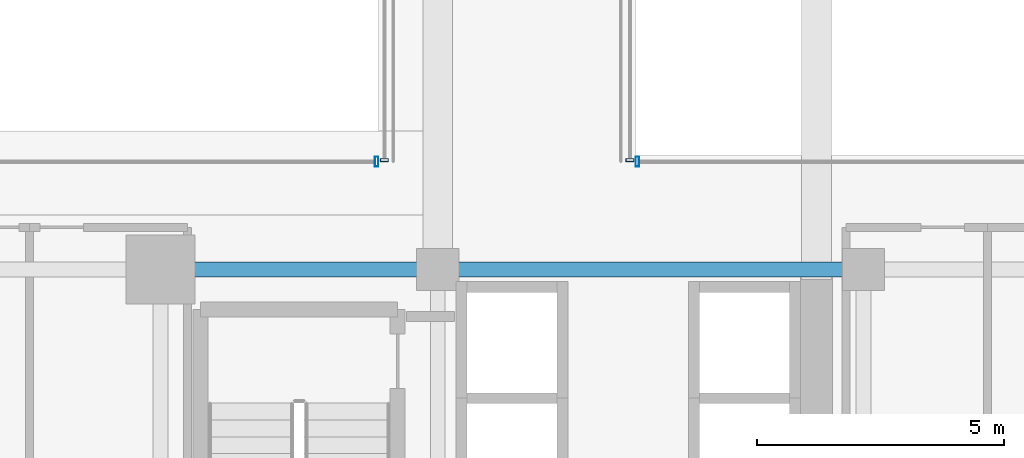
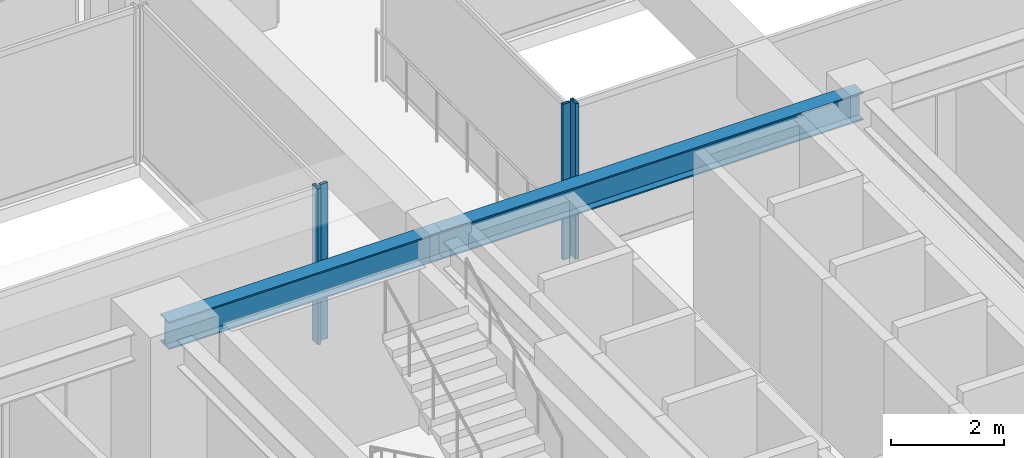
# One storey, part 18 of 42: 4 members, 2 beams, 4 elements without a shape of their own.
"""IFC4 building model written with IfcOpenShell, lengths in metres."""

from ifc_helpers import new_model, si_unit, direction, frame, origin, origin_2d, place, context, subcontext, project, spatial, hollow_rectangle, i_section, extrude, source, transform, mapped, material, material_profile, profile_set, type_object, element, aggregate, save


model = new_model("IFC4")

# Units and contexts
model_context = context("Model", 3, precision=1e-05, world=origin(), true_north=direction((0.0, 1.0)))
body_context = subcontext(model_context, "Body", "Model", "MODEL_VIEW")
ifc_project = project(units=[si_unit("LENGTHUNIT", "METRE"), si_unit("AREAUNIT", "SQUARE_METRE"), si_unit("VOLUMEUNIT", "CUBIC_METRE"), si_unit("PLANEANGLEUNIT", "RADIAN"), si_unit("MASSUNIT", "GRAM", prefix="KILO")], contexts=[model_context])

# Site, building, storey
site_placement = place(None, origin())
site = spatial("IfcSite", under=ifc_project, at=site_placement, CompositionType="ELEMENT")
building_placement = place(site_placement, origin())
building = spatial("IfcBuilding", under=site, at=building_placement, Name="Nahalor Promenade Grand Hotel", CompositionType="ELEMENT")
storey_placement = place(building_placement, frame((0.0, 0.0, 61.60009765625)))
storey = spatial("IfcBuildingStorey", under=building, at=storey_placement, Name="L14", CompositionType="ELEMENT", Elevation=61.60009765625)

# Beams
ifc_material_1 = material(Name="Steel S355JR", Category="steel")
ifc_material_profile_1 = material_profile(ifc_material_1, i_section(OverallWidth=0.3, OverallDepth=0.6, WebThickness=0.0155, FlangeThickness=0.03, at=origin_2d()), Name="HEB 600")
ifc_profile_set_1 = profile_set([ifc_material_profile_1], Name="Steel S355JR")
beam_type = type_object("IfcBeamType", Name="Beam-Girder-HEB600", PredefinedType="BEAM", material=ifc_profile_set_1)
shared_shape_1 = source(origin(), body_context, "Body", "SweptSolid", [
    extrude(i_section(OverallWidth=0.3, OverallDepth=0.6, WebThickness=0.0155, FlangeThickness=0.03, at=origin_2d()), origin(), (0.0, 0.0, 1.0), 8.60009765625),
])
beam_1_placement = place(storey_placement, frame((8.39990234375, -5.39990234375, 3.06982421875), z_axis=(1.0, 0.0, 0.0), x_axis=(0.0, 1.0, 0.0)))
element("IfcBeam", 1, at=beam_1_placement, inside=storey, type_object=beam_type, Name="BM-L14-GX-1-5", PredefinedType="BEAM", context=body_context, shape_type="MappedRepresentation", body=[
    mapped(shared_shape_1, transform((0.0, 0.0, 0.0), scale=1.0)),
])
shared_shape_2 = source(origin(), body_context, "Body", "SweptSolid", [
    extrude(i_section(OverallWidth=0.3, OverallDepth=0.6, WebThickness=0.0155, FlangeThickness=0.03, at=origin_2d()), origin(), (0.0, 0.0, 1.0), 5.599853515625),
])
beam_2_placement = place(storey_placement, frame((2.800048828125, -5.39990234375, 3.06982421875), z_axis=(1.0, 0.0, 0.0), x_axis=(0.0, 1.0, 0.0)))
element("IfcBeam", 2, at=beam_2_placement, inside=storey, type_object=beam_type, Name="BM-L14-GX-1-4", PredefinedType="BEAM", context=body_context, shape_type="MappedRepresentation", body=[
    mapped(shared_shape_2, transform((0.0, 0.0, 0.0), scale=1.0)),
])

# Curtain wall, member
ifc_material_2 = material(Name="Anodised Bronze Aluminium EN AW-6063 T6", Category="aluminium")
curtain_wall_type_1 = type_object("IfcCurtainWallType", Name="CW3 Elliptical-Void Collar Unitised Curtain Wall", PredefinedType="USERDEFINED", material=ifc_material_2)
curtain_wall_1_placement = place(storey_placement, origin())
curtain_wall_1 = element("IfcCurtainWall", 3, at=curtain_wall_1_placement, inside=storey, type_object=curtain_wall_type_1, Name="L14 Curtain Wall CW-L14-VOID-WS1", ObjectType="UNITISED_CURTAIN_WALL", PredefinedType="USERDEFINED")
ifc_material_profile_2 = material_profile(ifc_material_2, hollow_rectangle(XDim=0.07, YDim=0.2, WallThickness=0.005, at=origin_2d()), Name="CWM 70x200x5")
ifc_profile_set_2 = profile_set([ifc_material_profile_2], Name="Anodised Bronze Aluminium EN AW-6063 T6")
member_type_1 = type_object("IfcMemberType", Name="CWM3 Void Collar Mullion 70x200", PredefinedType="MULLION", material=ifc_profile_set_2)
shared_shape_3 = source(origin(), body_context, "Body", "SweptSolid", [
    extrude(hollow_rectangle(XDim=0.07, YDim=0.2, WallThickness=0.005, at=origin_2d()), origin(), (0.0, 0.0, 1.0), 3.369873046875),
])
member_1_placement = place(storey_placement, frame((7.1650390625, -3.219970703125, 0.0), z_axis=(0.0, 0.0, 1.0), x_axis=(1.0, 0.0, 0.0)))
member_1 = element("IfcMember", 4, at=member_1_placement, type_object=member_type_1, Name="CW-L14-VOID-WS1 Mullion 3", PredefinedType="MULLION", context=body_context, shape_type="MappedRepresentation", body=[
    mapped(shared_shape_3, transform((0.0, 0.0, 0.0), scale=1.0)),
])
aggregate(curtain_wall_1, [member_1])

curtain_wall_2_placement = place(storey_placement, origin())
curtain_wall_2 = element("IfcCurtainWall", 5, at=curtain_wall_2_placement, inside=storey, type_object=curtain_wall_type_1, Name="L14 Curtain Wall CW-L14-VOID-ES1", ObjectType="UNITISED_CURTAIN_WALL", PredefinedType="USERDEFINED")
member_2_placement = place(storey_placement, frame((12.43505859375, -3.219970703125, 0.0), z_axis=(0.0, 0.0, 1.0), x_axis=(1.0, 0.0, 0.0)))
member_2 = element("IfcMember", 6, at=member_2_placement, type_object=member_type_1, Name="CW-L14-VOID-ES1 Mullion 0", PredefinedType="MULLION", context=body_context, shape_type="MappedRepresentation", body=[
    mapped(shared_shape_3, transform((0.0, 0.0, 0.0), scale=1.0)),
])
aggregate(curtain_wall_2, [member_2])

curtain_wall_type_2 = type_object("IfcCurtainWallType", Name="CW4 Low-Iron Sky-Gallery Bridge Curtain Wall", PredefinedType="USERDEFINED", material=ifc_material_2)
curtain_wall_3_placement = place(storey_placement, origin())
curtain_wall_3 = element("IfcCurtainWall", 7, at=curtain_wall_3_placement, inside=storey, type_object=curtain_wall_type_2, Name="L14 Curtain Wall CW-L14-BRG-W", ObjectType="UNITISED_CURTAIN_WALL", PredefinedType="USERDEFINED")
ifc_material_profile_3 = material_profile(ifc_material_2, hollow_rectangle(XDim=0.06, YDim=0.16, WallThickness=0.004, at=origin_2d()), Name="CWM 60x160x4")
ifc_profile_set_3 = profile_set([ifc_material_profile_3], Name="Anodised Bronze Aluminium EN AW-6063 T6")
member_type_2 = type_object("IfcMemberType", Name="CWM4 Sky-Gallery Slim Mullion 60x160", PredefinedType="MULLION", material=ifc_profile_set_3)
shared_shape_4 = source(origin(), body_context, "Body", "SweptSolid", [
    extrude(hollow_rectangle(XDim=0.06, YDim=0.16, WallThickness=0.004, at=origin_2d()), origin(), (0.0, 0.0, 1.0), 3.369873046875),
])
member_3_placement = place(storey_placement, frame((7.320068359375, -3.18994140625, 0.0), z_axis=(0.0, 0.0, 1.0), x_axis=(0.0, 1.0, 0.0)))
member_3 = element("IfcMember", 8, at=member_3_placement, type_object=member_type_2, Name="CW-L14-BRG-W Mullion 0", PredefinedType="MULLION", context=body_context, shape_type="MappedRepresentation", body=[
    mapped(shared_shape_4, transform((0.0, 0.0, 0.0), scale=1.0)),
])
aggregate(curtain_wall_3, [member_3])

curtain_wall_4_placement = place(storey_placement, origin())
curtain_wall_4 = element("IfcCurtainWall", 9, at=curtain_wall_4_placement, inside=storey, type_object=curtain_wall_type_2, Name="L14 Curtain Wall CW-L14-BRG-E", ObjectType="UNITISED_CURTAIN_WALL", PredefinedType="USERDEFINED")
member_4_placement = place(storey_placement, frame((12.280029296875, -3.18994140625, 0.0), z_axis=(0.0, 0.0, 1.0), x_axis=(0.0, 1.0, 0.0)))
member_4 = element("IfcMember", 10, at=member_4_placement, type_object=member_type_2, Name="CW-L14-BRG-E Mullion 0", PredefinedType="MULLION", context=body_context, shape_type="MappedRepresentation", body=[
    mapped(shared_shape_4, transform((0.0, 0.0, 0.0), scale=1.0)),
])
aggregate(curtain_wall_4, [member_4])

save(model, "model.ifc")
